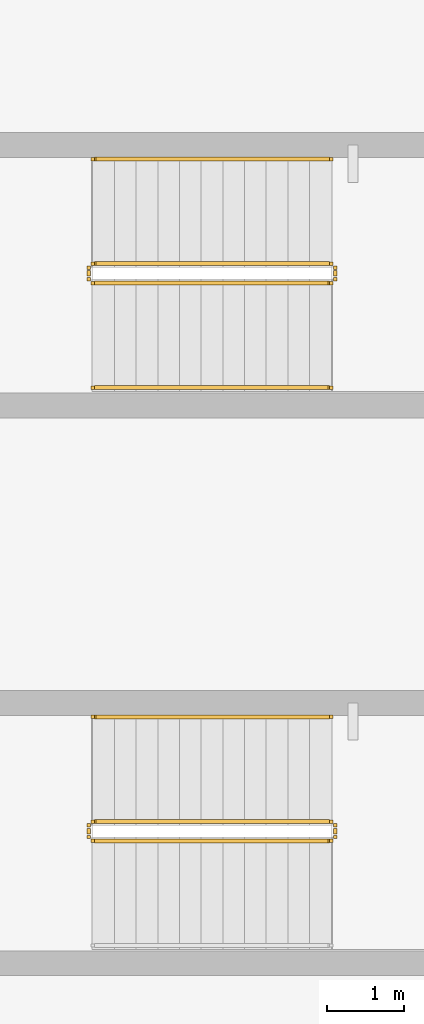
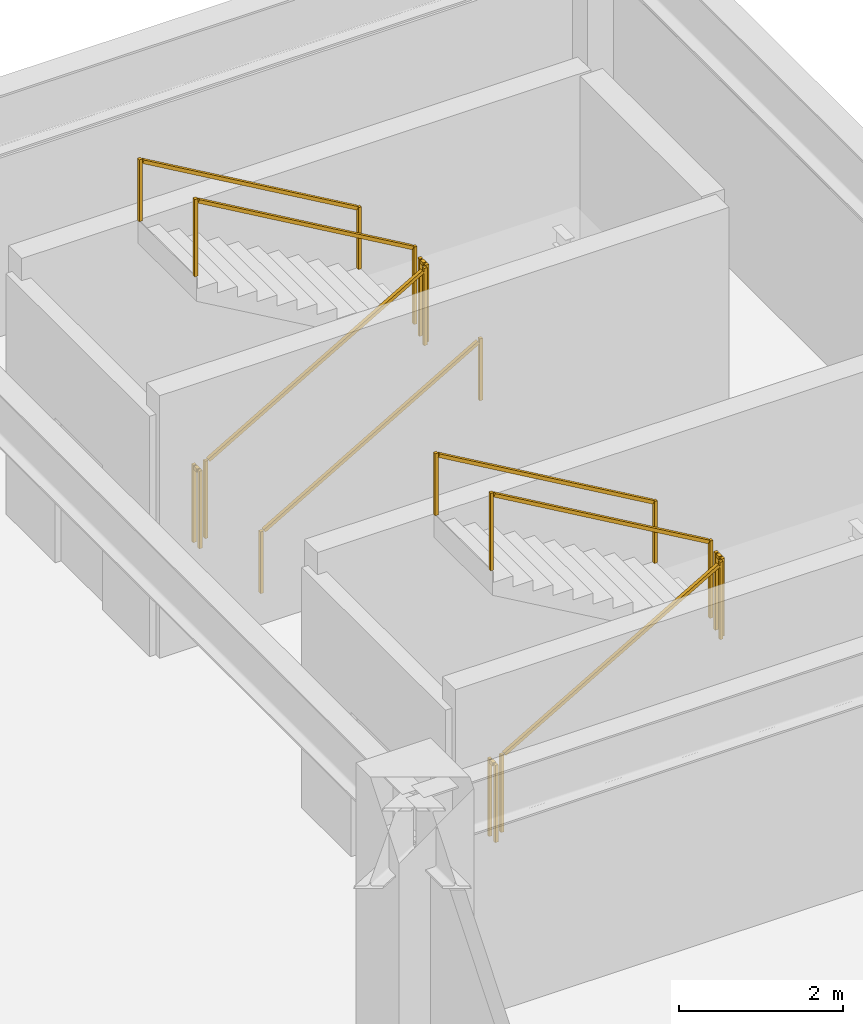
# One storey, part 16 of 16: 11 railings.
"""IFC4 building model written with IfcOpenShell, lengths in metres."""

import ifcopenshell
import ifcopenshell.guid

model = None  # the IFC model being written
_history = None  # IfcOwnerHistory: only IFC2X3 demands one
_inside = {}  # id of a spatial element -> (the spatial element, [elements in it])
_under = {}  # id of a project, library or spatial element -> (it, [spatial elements below it])
_declared = {}  # id of a project -> (the project, [libraries it declares])
_typed = {}  # id of a type object -> (the type object, [elements of that type])
_made_of = {}  # id of a material, layer set ... -> (it, [elements and type objects made of it])


def new_model(schema):
    """Start an empty IFC model of exactly this schema.

    Asked for "IFC4X3", IfcOpenShell would pick the latest addendum, in which some entities
    have other attributes; the version numbers below select the first issue.
    IFC2X3 requires an IfcOwnerHistory on every rooted entity: one is made here for all.
    """
    global model, _history
    if schema == "IFC4X3":
        model = ifcopenshell.file(schema_version=(4, 3, 0, 0))
    else:
        model = ifcopenshell.file(schema=schema)
    _inside.clear()
    _under.clear()
    _declared.clear()
    _typed.clear()
    _made_of.clear()
    _history = None
    if model.schema == "IFC2X3":
        org = make("IfcOrganization", Name="unknown")
        user = make(
            "IfcPersonAndOrganization",
            ThePerson=make("IfcPerson", FamilyName="unknown"),
            TheOrganization=org,
        )
        app = make(
            "IfcApplication",
            ApplicationDeveloper=org,
            Version="unknown",
            ApplicationFullName="unknown",
            ApplicationIdentifier="unknown",
        )
        _history = make(
            "IfcOwnerHistory",
            OwningUser=user,
            OwningApplication=app,
            ChangeAction="ADDED",
            CreationDate=0,
        )
    return model


def make(cls, **values):
    """One entity of the class cls with the attributes given. An attribute that is None is left unset."""
    return model.create_entity(
        cls, **{name: value for name, value in values.items() if value is not None}
    )


def rooted(cls, **values):
    """An entity with a GlobalId (a new one), such as an element, a storey or a relation."""
    return make(cls, GlobalId=ifcopenshell.guid.new(), OwnerHistory=_history, **values)


def si_unit(unit_type, name, prefix=None):
    """IfcSIUnit, for example si_unit("LENGTHUNIT", "METRE", prefix="MILLI")."""
    return make("IfcSIUnit", UnitType=unit_type, Prefix=prefix, Name=name)


def assignment(units):
    """IfcUnitAssignment: the units of a project."""
    return None if units is None else make("IfcUnitAssignment", Units=units)


def point(xyz):
    """IfcCartesianPoint."""
    return None if xyz is None else make("IfcCartesianPoint", Coordinates=xyz)


def direction(xyz):
    """IfcDirection."""
    return None if xyz is None else make("IfcDirection", DirectionRatios=xyz)


def frame(location, z_axis=None, x_axis=None):
    """IfcAxis2Placement3D, a coordinate frame: its origin and axes. An axis left out is left unset."""
    return make(
        "IfcAxis2Placement3D",
        Location=point(location),
        Axis=direction(z_axis),
        RefDirection=direction(x_axis),
    )


def frame_2d(location, x_axis=None):
    """IfcAxis2Placement2D, a coordinate frame in the plane: its origin and x axis."""
    return make(
        "IfcAxis2Placement2D", Location=point(location), RefDirection=direction(x_axis)
    )


def origin():
    """The frame at (0, 0, 0) with its axes left unset."""
    return frame((0.0, 0.0, 0.0))


def origin_2d():
    """The frame at (0, 0) in the plane with its x axis left unset."""
    return frame_2d((0.0, 0.0))


def place(relative_to, where):
    """IfcLocalPlacement: puts the frame where relative to a parent placement (None: the world)."""
    return make(
        "IfcLocalPlacement", PlacementRelTo=relative_to, RelativePlacement=where
    )


def context(
    kind, dimensions, precision=None, world=None, true_north=None, identifier=None
):
    """IfcGeometricRepresentationContext, for example the 3D "Model" context."""
    return make(
        "IfcGeometricRepresentationContext",
        ContextIdentifier=identifier,
        ContextType=kind,
        CoordinateSpaceDimension=dimensions,
        Precision=precision,
        WorldCoordinateSystem=world,
        TrueNorth=true_north,
    )


def subcontext(parent, identifier, kind, view, scale=None):
    """IfcGeometricRepresentationSubContext, for example "Body" below "Model"."""
    return make(
        "IfcGeometricRepresentationSubContext",
        ContextIdentifier=identifier,
        ContextType=kind,
        ParentContext=parent,
        TargetScale=scale,
        TargetView=view,
    )


def project(units=None, contexts=None):
    """IfcProject with its units and contexts."""
    return rooted(
        "IfcProject",
        Name="project",
        RepresentationContexts=contexts,
        UnitsInContext=assignment(units),
    )


def spatial(cls, under=None, at=None, **own):
    """A site, building, storey or space (cls), placed at a placement, below another one or the project."""
    s = rooted(cls, ObjectPlacement=at, **own)
    if under is not None:
        _under.setdefault(under.id(), (under, []))[1].append(s)
    return s


def profile(cls, at=None, kind="AREA", **sizes):
    """A parametric profile (cls). Its sizes go by their IFC names, for example OverallWidth=200.0."""
    return make(cls, ProfileType=kind, Position=at, **sizes)


def rectangle(**sizes):
    """IfcRectangleProfileDef."""
    return profile("IfcRectangleProfileDef", **sizes)


def extrude(swept, where, along, depth):
    """IfcExtrudedAreaSolid: the profile swept, set in the frame where, extruded along a direction by depth."""
    return make(
        "IfcExtrudedAreaSolid",
        SweptArea=swept,
        Position=where,
        ExtrudedDirection=direction(along),
        Depth=depth,
    )


def shape(context_of_items, identifier, shape_type, items):
    """IfcShapeRepresentation: the items that make up one representation, for example the "Body"."""
    return make(
        "IfcShapeRepresentation",
        ContextOfItems=context_of_items,
        RepresentationIdentifier=identifier,
        RepresentationType=shape_type,
        Items=items,
    )


def material(Name=None, Category=None):
    """IfcMaterial."""
    return make("IfcMaterial", Name=Name, Category=Category)


def made_of(thing, what):
    """Note that an element or type object is made of a material, layer set ...; save() writes the relation."""
    if what is not None:
        _made_of.setdefault(what.id(), (what, []))[1].append(thing)
    return thing


def type_object(cls, material=None, **own):
    """A type object (cls), such as IfcWallType, which elements share."""
    return made_of(rooted(cls, **own), material)


def element(
    cls,
    number,
    at=None,
    inside=None,
    cuts=None,
    type_object=None,
    material=None,
    context=None,
    identifier="Body",
    shape_type=None,
    held_by="IfcProductDefinitionShape",
    body=None,
    shapes=None,
    **own,
):
    """One element of the class cls, such as IfcWall. Its Tag is "e" and its number.

    at: its placement. inside: the storey or other place that contains it. cuts: it is an
    opening in that element (IfcRelVoidsElement). A single representation is given by context,
    identifier, shape_type and body (its items); several are given by shapes. held_by: the class
    of the entity that holds the representations. save() writes the other relations.
    """
    e = rooted(cls, Tag="e%d" % number, ObjectPlacement=at, **own)
    if body is not None:
        shapes = [shape(context, identifier, shape_type, body)]
    if shapes is not None:
        e.Representation = make(held_by, Representations=shapes)
    if inside is not None:
        _inside.setdefault(inside.id(), (inside, []))[1].append(e)
    if cuts is not None:
        rooted(
            "IfcRelVoidsElement", RelatingBuildingElement=cuts, RelatedOpeningElement=e
        )
    if type_object is not None:
        _typed.setdefault(type_object.id(), (type_object, []))[1].append(e)
    return made_of(e, material)


def aggregate(whole, parts):
    """IfcRelAggregates: a whole, such as a stair, and the parts it consists of."""
    return rooted("IfcRelAggregates", RelatingObject=whole, RelatedObjects=parts)


def save(model, path):
    """Write the relations noted so far, then the file.

    IfcRelAggregates (storeys below a building ...), IfcRelContainedInSpatialStructure (elements
    in a storey), IfcRelDefinesByType, IfcRelAssociatesMaterial and IfcRelDeclares: one each for
    every whole, place, type object, material and project.
    """
    for whole, parts in _under.values():
        aggregate(whole, parts)
    for where, things in _inside.values():
        rooted(
            "IfcRelContainedInSpatialStructure",
            RelatedElements=things,
            RelatingStructure=where,
        )
    for kind, things in _typed.values():
        rooted("IfcRelDefinesByType", RelatedObjects=things, RelatingType=kind)
    for what, things in _made_of.values():
        rooted("IfcRelAssociatesMaterial", RelatedObjects=things, RelatingMaterial=what)
    for by, libraries in _declared.values():
        rooted("IfcRelDeclares", RelatingContext=by, RelatedDefinitions=libraries)
    model.write(path)


model = new_model("IFC4")

# Units and contexts
model_context = context("Model", 3, precision=1e-05, world=origin(), true_north=direction((0.0, 1.0)))
body_context = subcontext(model_context, "Body", "Model", "MODEL_VIEW")
ifc_project = project(units=[si_unit("LENGTHUNIT", "METRE"), si_unit("AREAUNIT", "SQUARE_METRE"), si_unit("VOLUMEUNIT", "CUBIC_METRE"), si_unit("PLANEANGLEUNIT", "RADIAN"), si_unit("MASSUNIT", "GRAM", prefix="KILO")], contexts=[model_context])

# Site, building, storey
site_placement = place(None, origin())
site = spatial("IfcSite", under=ifc_project, at=site_placement, CompositionType="ELEMENT")
building_placement = place(site_placement, origin())
building = spatial("IfcBuilding", under=site, at=building_placement, Name="Yunling Apex Tower", CompositionType="ELEMENT")
storey_placement = place(building_placement, frame((0.0, 0.0, 4.5)))
storey = spatial("IfcBuildingStorey", under=building, at=storey_placement, Name="L02", CompositionType="ELEMENT", Elevation=4.5)

# Railings
ifc_material_1 = material(Name="Steel Q355B", Category="steel")
railing_type_1 = type_object("IfcRailingType", Name="RL-GRD-1150", PredefinedType="GUARDRAIL", material=ifc_material_1)
railing_1_placement = place(storey_placement, frame((25.35009765625, 17.0, 0.16259765625)))
element("IfcRailing", 1, at=railing_1_placement, inside=storey, type_object=railing_type_1, Name="L02 ST-P2 stair guard 1", PredefinedType="GUARDRAIL", context=body_context, shape_type="SweptSolid", body=[
    extrude(rectangle(XDim=0.0439453125, YDim=0.0439453125, at=origin_2d()), origin(), (0.0, 0.0, 1.0), 1.14990234375),
    extrude(rectangle(XDim=0.0439453125, YDim=0.0439453125, at=origin_2d()), frame((3.079833984375, 0.0, 1.787353515625)), (0.0, 0.0, 1.0), 1.14990234375),
    extrude(rectangle(XDim=0.050048828125, YDim=0.050048828125, at=origin_2d()), frame((0.033203125, 0.0, 1.14404296875), z_axis=(0.864903211148, 0.0, 0.501938676878), x_axis=(0.0, 1.0, 0.0)), (0.0, 0.0, 1.0), 3.484130859375),
])
railing_2_placement = place(storey_placement, frame((28.47998046875, 17.050048828125, 1.949951171875)))
element("IfcRailing", 2, at=railing_2_placement, inside=storey, type_object=railing_type_1, Name="L02 ST-P2 stair guard 2", PredefinedType="GUARDRAIL", context=body_context, shape_type="SweptSolid", body=[
    extrude(rectangle(XDim=0.0439453125, YDim=0.0439453125, at=origin_2d()), origin(), (0.0, 0.0, 1.0), 1.14990234375),
    extrude(rectangle(XDim=0.0439453125, YDim=0.0439453125, at=origin_2d()), frame((0.0, 0.14990234375, 0.0)), (0.0, 0.0, 1.0), 1.14990234375),
    extrude(rectangle(XDim=0.050048828125, YDim=0.050048828125, at=origin_2d()), frame((0.0, 0.038330078125, 1.125), z_axis=(0.0, 1.0, 0.0), x_axis=(-1.0, 0.0, 0.0)), (0.0, 0.0, 1.0), 0.0732421875),
])
railing_3_placement = place(storey_placement, frame((28.429931640625, 17.25, 2.112548828125)))
element("IfcRailing", 3, at=railing_3_placement, inside=storey, type_object=railing_type_1, Name="L02 ST-P2 stair guard 3", PredefinedType="GUARDRAIL", context=body_context, shape_type="SweptSolid", body=[
    extrude(rectangle(XDim=0.0439453125, YDim=0.0439453125, at=origin_2d()), origin(), (0.0, 0.0, 1.0), 1.14990234375),
    extrude(rectangle(XDim=0.0439453125, YDim=0.0439453125, at=origin_2d()), frame((-3.079833984375, 0.0, 1.787353515625)), (0.0, 0.0, 1.0), 1.14990234375),
    extrude(rectangle(XDim=0.050048828125, YDim=0.050048828125, at=origin_2d()), frame((-0.033203125, 0.0, 1.14404296875), z_axis=(-0.864903211148, 0.0, 0.501938676878), x_axis=(0.0, -1.0, 0.0)), (0.0, 0.0, 1.0), 3.484130859375),
])
railing_4_placement = place(storey_placement, frame((25.300048828125, 17.050048828125, 0.0)))
element("IfcRailing", 4, at=railing_4_placement, inside=storey, type_object=railing_type_1, Name="L02 ST-P2 stair guard 4", PredefinedType="GUARDRAIL", context=body_context, shape_type="SweptSolid", body=[
    extrude(rectangle(XDim=0.0439453125, YDim=0.0439453125, at=origin_2d()), origin(), (0.0, 0.0, 1.0), 1.14990234375),
    extrude(rectangle(XDim=0.0439453125, YDim=0.0439453125, at=origin_2d()), frame((0.0, 0.14990234375, 0.0)), (0.0, 0.0, 1.0), 1.14990234375),
    extrude(rectangle(XDim=0.050048828125, YDim=0.050048828125, at=origin_2d()), frame((0.0, 0.038330078125, 1.125), z_axis=(0.0, 1.0, 0.0), x_axis=(-1.0, 0.0, 0.0)), (0.0, 0.0, 1.0), 0.0732421875),
])
railing_5_placement = place(storey_placement, frame((25.35009765625, 24.199951171875, 0.16259765625)))
element("IfcRailing", 5, at=railing_5_placement, inside=storey, type_object=railing_type_1, Name="L02 ST-G2 stair guard 1", PredefinedType="GUARDRAIL", context=body_context, shape_type="SweptSolid", body=[
    extrude(rectangle(XDim=0.0439453125, YDim=0.0439453125, at=origin_2d()), origin(), (0.0, 0.0, 1.0), 1.14990234375),
    extrude(rectangle(XDim=0.0439453125, YDim=0.0439453125, at=origin_2d()), frame((3.079833984375, 0.0, 1.787353515625)), (0.0, 0.0, 1.0), 1.14990234375),
    extrude(rectangle(XDim=0.050048828125, YDim=0.050048828125, at=origin_2d()), frame((0.033203125, 0.0, 1.14404296875), z_axis=(0.864903211148, 0.0, 0.501938676878), x_axis=(0.0, 1.0, 0.0)), (0.0, 0.0, 1.0), 3.484130859375),
])
railing_6_placement = place(storey_placement, frame((28.47998046875, 24.25, 1.949951171875)))
element("IfcRailing", 6, at=railing_6_placement, inside=storey, type_object=railing_type_1, Name="L02 ST-G2 stair guard 2", PredefinedType="GUARDRAIL", context=body_context, shape_type="SweptSolid", body=[
    extrude(rectangle(XDim=0.0439453125, YDim=0.0439453125, at=origin_2d()), origin(), (0.0, 0.0, 1.0), 1.14990234375),
    extrude(rectangle(XDim=0.0439453125, YDim=0.0439453125, at=origin_2d()), frame((0.0, 0.14990234375, 0.0)), (0.0, 0.0, 1.0), 1.14990234375),
    extrude(rectangle(XDim=0.050048828125, YDim=0.050048828125, at=origin_2d()), frame((0.0, 0.038330078125, 1.125), z_axis=(0.0, 1.0, 0.0), x_axis=(-1.0, 0.0, 0.0)), (0.0, 0.0, 1.0), 0.0732421875),
])
railing_7_placement = place(storey_placement, frame((28.429931640625, 24.449951171875, 2.112548828125)))
element("IfcRailing", 7, at=railing_7_placement, inside=storey, type_object=railing_type_1, Name="L02 ST-G2 stair guard 3", PredefinedType="GUARDRAIL", context=body_context, shape_type="SweptSolid", body=[
    extrude(rectangle(XDim=0.0439453125, YDim=0.0439453125, at=origin_2d()), origin(), (0.0, 0.0, 1.0), 1.14990234375),
    extrude(rectangle(XDim=0.0439453125, YDim=0.0439453125, at=origin_2d()), frame((-3.079833984375, 0.0, 1.787353515625)), (0.0, 0.0, 1.0), 1.14990234375),
    extrude(rectangle(XDim=0.050048828125, YDim=0.050048828125, at=origin_2d()), frame((-0.033203125, 0.0, 1.14404296875), z_axis=(-0.864903211148, 0.0, 0.501938676878), x_axis=(0.0, -1.0, 0.0)), (0.0, 0.0, 1.0), 3.484130859375),
])
railing_8_placement = place(storey_placement, frame((25.300048828125, 24.25, 0.0)))
element("IfcRailing", 8, at=railing_8_placement, inside=storey, type_object=railing_type_1, Name="L02 ST-G2 stair guard 4", PredefinedType="GUARDRAIL", context=body_context, shape_type="SweptSolid", body=[
    extrude(rectangle(XDim=0.0439453125, YDim=0.0439453125, at=origin_2d()), origin(), (0.0, 0.0, 1.0), 1.14990234375),
    extrude(rectangle(XDim=0.0439453125, YDim=0.0439453125, at=origin_2d()), frame((0.0, 0.14990234375, 0.0)), (0.0, 0.0, 1.0), 1.14990234375),
    extrude(rectangle(XDim=0.050048828125, YDim=0.050048828125, at=origin_2d()), frame((0.0, 0.038330078125, 1.125), z_axis=(0.0, 1.0, 0.0), x_axis=(-1.0, 0.0, 0.0)), (0.0, 0.0, 1.0), 0.0732421875),
])
ifc_material_2 = material(Name="Silver anodised aluminium", Category="aluminium")
railing_type_2 = type_object("IfcRailingType", Name="RL-HND-900", PredefinedType="HANDRAIL", material=ifc_material_2)
railing_9_placement = place(storey_placement, frame((28.429931640625, 18.60009765625, 2.112548828125)))
element("IfcRailing", 9, at=railing_9_placement, inside=storey, type_object=railing_type_2, Name="L02 ST-P2 stair handrail 2", PredefinedType="HANDRAIL", context=body_context, shape_type="SweptSolid", body=[
    extrude(rectangle(XDim=0.0439453125, YDim=0.0439453125, at=origin_2d()), origin(), (0.0, 0.0, 1.0), 0.919921875),
    extrude(rectangle(XDim=0.0439453125, YDim=0.0439453125, at=origin_2d()), frame((-3.079833984375, 0.0, 1.787353515625)), (0.0, 0.0, 1.0), 0.919921875),
    extrude(rectangle(XDim=0.050048828125, YDim=0.050048828125, at=origin_2d()), frame((-0.033203125, 0.0, 0.9140625), z_axis=(-0.864903211148, 0.0, 0.501938676878), x_axis=(0.0, -1.0, 0.0)), (0.0, 0.0, 1.0), 3.484130859375),
])
railing_10_placement = place(storey_placement, frame((25.35009765625, 22.85009765625, 0.16259765625)))
element("IfcRailing", 10, at=railing_10_placement, inside=storey, type_object=railing_type_2, Name="L02 ST-G2 stair handrail 1", PredefinedType="HANDRAIL", context=body_context, shape_type="SweptSolid", body=[
    extrude(rectangle(XDim=0.0439453125, YDim=0.0439453125, at=origin_2d()), origin(), (0.0, 0.0, 1.0), 0.919921875),
    extrude(rectangle(XDim=0.0439453125, YDim=0.0439453125, at=origin_2d()), frame((3.079833984375, 0.0, 1.787353515625)), (0.0, 0.0, 1.0), 0.919921875),
    extrude(rectangle(XDim=0.050048828125, YDim=0.050048828125, at=origin_2d()), frame((0.033203125, 0.0, 0.9140625), z_axis=(0.864903211148, 0.0, 0.501938676878), x_axis=(0.0, 1.0, 0.0)), (0.0, 0.0, 1.0), 3.484130859375),
])
railing_11_placement = place(storey_placement, frame((28.429931640625, 25.800048828125, 2.112548828125)))
element("IfcRailing", 11, at=railing_11_placement, inside=storey, type_object=railing_type_2, Name="L02 ST-G2 stair handrail 2", PredefinedType="HANDRAIL", context=body_context, shape_type="SweptSolid", body=[
    extrude(rectangle(XDim=0.0439453125, YDim=0.0439453125, at=origin_2d()), origin(), (0.0, 0.0, 1.0), 0.919921875),
    extrude(rectangle(XDim=0.0439453125, YDim=0.0439453125, at=origin_2d()), frame((-3.079833984375, 0.0, 1.787353515625)), (0.0, 0.0, 1.0), 0.919921875),
    extrude(rectangle(XDim=0.050048828125, YDim=0.050048828125, at=origin_2d()), frame((-0.033203125, 0.0, 0.9140625), z_axis=(-0.864903211148, 0.0, 0.501938676878), x_axis=(0.0, -1.0, 0.0)), (0.0, 0.0, 1.0), 3.484130859375),
])

save(model, "model.ifc")
